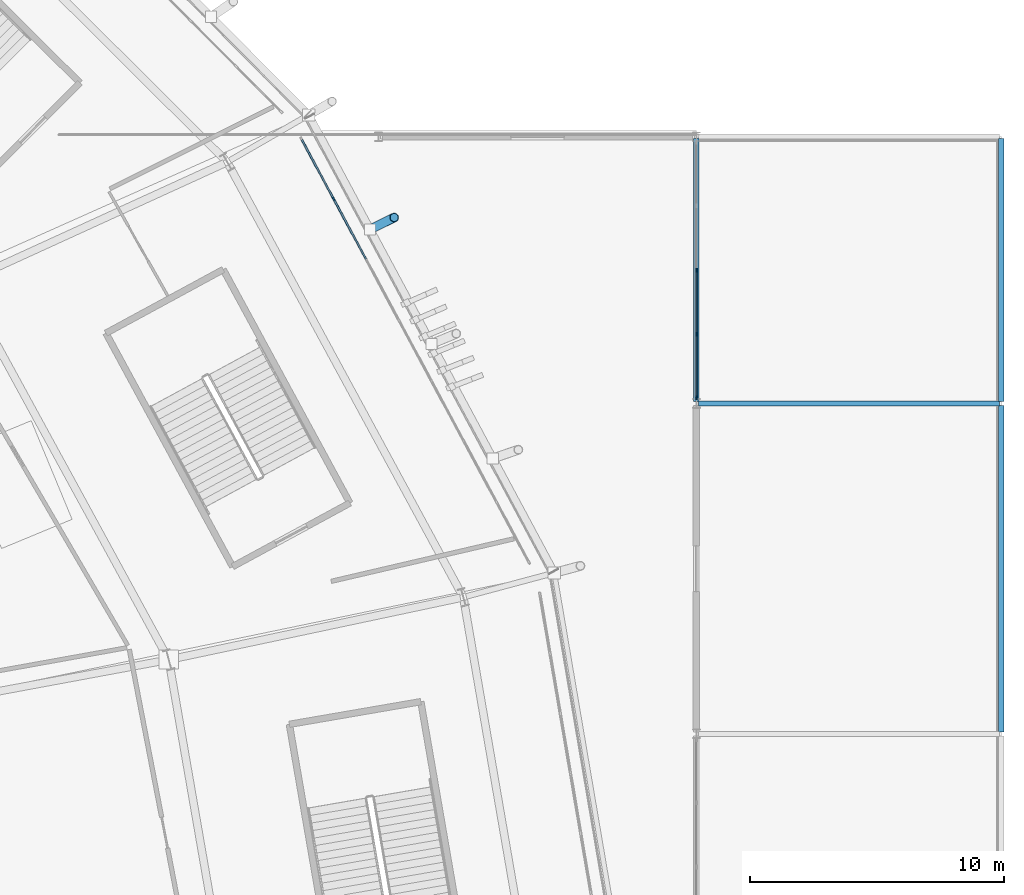
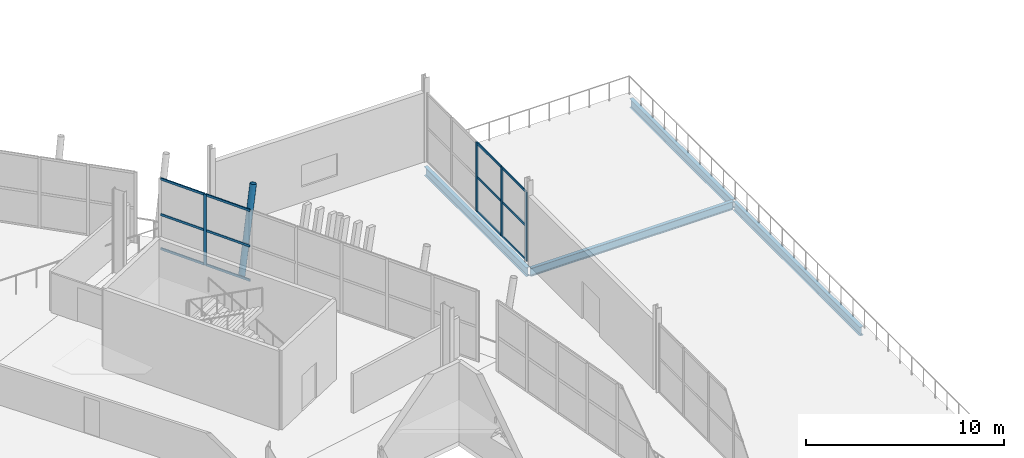
# One storey, part 62 of 168: 17 members, 4 beams, 2 elements without a shape of their own.
"""IFC4 building model written with IfcOpenShell, lengths in metres."""

from ifc_helpers import new_model, si_unit, direction, frame, origin, origin_2d, place, context, subcontext, project, spatial, rectangle, hollow_circle, i_section, extrude, material, material_profile, profile_set, type_object, element, aggregate, save


model = new_model("IFC4")

# Units and contexts
model_context = context("Model", 3, precision=1e-05, world=origin(), true_north=direction((0.0, 1.0)))
body_context = subcontext(model_context, "Body", "Model", "MODEL_VIEW")
ifc_project = project(units=[si_unit("LENGTHUNIT", "METRE"), si_unit("AREAUNIT", "SQUARE_METRE"), si_unit("VOLUMEUNIT", "CUBIC_METRE"), si_unit("PLANEANGLEUNIT", "RADIAN"), si_unit("MASSUNIT", "GRAM", prefix="KILO")], contexts=[model_context])

# Site, building, storey
site_placement = place(None, origin())
site = spatial("IfcSite", under=ifc_project, at=site_placement, CompositionType="ELEMENT")
building_placement = place(site_placement, origin())
building = spatial("IfcBuilding", under=site, at=building_placement, Name="Zlatoyarsky Gate Stadium", CompositionType="ELEMENT")
storey_placement = place(building_placement, frame((0.0, 0.0, 15.60009765625)))
storey = spatial("IfcBuildingStorey", under=building, at=storey_placement, Name="L03", CompositionType="ELEMENT", Elevation=15.60009765625)

# Curtain wall, member
ifc_material_1 = material(Name="Thermally broken anodised aluminium curtain wall", Category="aluminium")
curtain_wall_type_1 = type_object("IfcCurtainWallType", Name="UNITISED CORPORATE BOX GLAZING L03", PredefinedType="USERDEFINED", material=ifc_material_1)
curtain_wall_1_placement = place(storey_placement, origin())
curtain_wall_1 = element("IfcCurtainWall", 1, at=curtain_wall_1_placement, inside=storey, type_object=curtain_wall_type_1, Name="Curtain wall CW-L03-01", ObjectType="UNITISED GLAZING", PredefinedType="USERDEFINED")
ifc_material_2 = material(Name="Anodised aluminium 6063-T6", Category="aluminium")
ifc_material_profile_1 = material_profile(ifc_material_2, rectangle(XDim=0.06494140625, YDim=0.159912109375, at=origin_2d()), Name="ALU 65X160")
ifc_profile_set_1 = profile_set([ifc_material_profile_1], Name="Anodised aluminium 6063-T6")
member_type_1 = type_object("IfcMemberType", Name="ALUMINIUM MULLION 65X160", PredefinedType="MULLION", material=ifc_profile_set_1)
member_1_placement = place(storey_placement, frame((195.730224609375, 114.04248046875, 0.0), z_axis=(0.0, 0.0, 1.0), x_axis=(-0.880877202392, -0.473344857694, 0.0)))
member_1 = element("IfcMember", 2, at=member_1_placement, type_object=member_type_1, Name="CW-UG3 mullion 7", PredefinedType="MULLION", context=body_context, shape_type="SweptSolid", body=[
    extrude(rectangle(XDim=0.06494140625, YDim=0.159912109375, at=origin_2d()), origin(), (0.0, 0.0, 1.0), 4.3798828125),
])

# Curtain wall, members
curtain_wall_type_2 = type_object("IfcCurtainWallType", Name="WINTER GARDEN CONSERVATORY GLAZING", PredefinedType="USERDEFINED", material=ifc_material_1)
curtain_wall_2_placement = place(storey_placement, origin())
curtain_wall_2 = element("IfcCurtainWall", 3, at=curtain_wall_2_placement, inside=storey, type_object=curtain_wall_type_2, Name="Curtain wall CW-V5_EAST-L03-187", ObjectType="UNITISED GLAZING", PredefinedType="USERDEFINED")
member_2_placement = place(storey_placement, frame((210.0, 106.224609375, 0.0), z_axis=(0.0, 0.0, 1.0), x_axis=(-1.0, 0.0, 0.0)))
member_2 = element("IfcMember", 4, at=member_2_placement, type_object=member_type_1, Name="CW-WG1 mullion 1", PredefinedType="MULLION", context=body_context, shape_type="SweptSolid", body=[
    extrude(rectangle(XDim=0.06494140625, YDim=0.159912109375, at=origin_2d()), origin(), (0.0, 0.0, 1.0), 4.27978515625),
])
member_3_placement = place(storey_placement, frame((210.0, 108.720947265625, 0.0), z_axis=(0.0, 0.0, 1.0), x_axis=(-1.0, 0.0, 0.0)))
member_3 = element("IfcMember", 5, at=member_3_placement, type_object=member_type_1, Name="CW-WG1 mullion 2", PredefinedType="MULLION", context=body_context, shape_type="SweptSolid", body=[
    extrude(rectangle(XDim=0.06494140625, YDim=0.159912109375, at=origin_2d()), origin(), (0.0, 0.0, 1.0), 4.27978515625),
])
member_4_placement = place(storey_placement, frame((210.0, 111.25, 0.0), z_axis=(0.0, 0.0, 1.0), x_axis=(-1.0, 0.0, 0.0)))
member_4 = element("IfcMember", 6, at=member_4_placement, type_object=member_type_1, Name="CW-WG1 mullion 3", PredefinedType="MULLION", context=body_context, shape_type="SweptSolid", body=[
    extrude(rectangle(XDim=0.06494140625, YDim=0.159912109375, at=origin_2d()), origin(), (0.0, 0.0, 1.0), 4.27978515625),
])

# Member
ifc_material_profile_2 = material_profile(ifc_material_2, rectangle(XDim=0.06494140625, YDim=0.139892578125, at=origin_2d()), Name="ALU 65X140")
ifc_profile_set_2 = profile_set([ifc_material_profile_2], Name="Anodised aluminium 6063-T6")
member_type_2 = type_object("IfcMemberType", Name="ALUMINIUM TRANSOM 65X140", PredefinedType="USERDEFINED", material=ifc_profile_set_2)
member_5_placement = place(storey_placement, frame((196.9970703125, 111.684814453125, 0.032470703125), z_axis=(-0.473356241073, 0.880871085368, 0.0), x_axis=(-0.880871085368, -0.473356241073, 0.0)))
member_5 = element("IfcMember", 7, at=member_5_placement, type_object=member_type_2, Name="CW-UG3 transom 6.1", ObjectType="TRANSOM", PredefinedType="USERDEFINED", context=body_context, shape_type="SweptSolid", body=[
    extrude(rectangle(XDim=0.06494140625, YDim=0.139892578125, at=origin_2d()), origin(), (0.0, 0.0, 1.0), 2.643798828125),
])

member_6_placement = place(storey_placement, frame((196.9970703125, 111.684814453125, 2.14990234375), z_axis=(-0.473356241073, 0.880871085368, 0.0), x_axis=(-0.880871085368, -0.473356241073, 0.0)))
member_6 = element("IfcMember", 8, at=member_6_placement, type_object=member_type_2, Name="CW-UG3 transom 6.2", ObjectType="TRANSOM", PredefinedType="USERDEFINED", context=body_context, shape_type="SweptSolid", body=[
    extrude(rectangle(XDim=0.06494140625, YDim=0.139892578125, at=origin_2d()), origin(), (0.0, 0.0, 1.0), 2.643798828125),
])

member_7_placement = place(storey_placement, frame((196.9970703125, 111.684814453125, 4.347412109375), z_axis=(-0.473356241073, 0.880871085368, 0.0), x_axis=(-0.880871085368, -0.473356241073, 0.0)))
member_7 = element("IfcMember", 9, at=member_7_placement, type_object=member_type_2, Name="CW-UG3 transom 6.3", ObjectType="TRANSOM", PredefinedType="USERDEFINED", context=body_context, shape_type="SweptSolid", body=[
    extrude(rectangle(XDim=0.06494140625, YDim=0.139892578125, at=origin_2d()), origin(), (0.0, 0.0, 1.0), 2.643798828125),
])

member_8_placement = place(storey_placement, frame((195.71484375, 114.071044921875, 0.032470703125), z_axis=(-0.473347001092, 0.880876050621, 0.0), x_axis=(-0.880876050621, -0.473347001092, 0.0)))
member_8 = element("IfcMember", 10, at=member_8_placement, type_object=member_type_2, Name="CW-UG3 transom 7.1", ObjectType="TRANSOM", PredefinedType="USERDEFINED", context=body_context, shape_type="SweptSolid", body=[
    extrude(rectangle(XDim=0.06494140625, YDim=0.139892578125, at=origin_2d()), origin(), (0.0, 0.0, 1.0), 2.611328125),
])

member_9_placement = place(storey_placement, frame((195.71484375, 114.071044921875, 2.14990234375), z_axis=(-0.473347001092, 0.880876050621, 0.0), x_axis=(-0.880876050621, -0.473347001092, 0.0)))
member_9 = element("IfcMember", 11, at=member_9_placement, type_object=member_type_2, Name="CW-UG3 transom 7.2", ObjectType="TRANSOM", PredefinedType="USERDEFINED", context=body_context, shape_type="SweptSolid", body=[
    extrude(rectangle(XDim=0.06494140625, YDim=0.139892578125, at=origin_2d()), origin(), (0.0, 0.0, 1.0), 2.611328125),
])

member_10_placement = place(storey_placement, frame((195.71484375, 114.071044921875, 4.347412109375), z_axis=(-0.473347001092, 0.880876050621, 0.0), x_axis=(-0.880876050621, -0.473347001092, 0.0)))
member_10 = element("IfcMember", 12, at=member_10_placement, type_object=member_type_2, Name="CW-UG3 transom 7.3", ObjectType="TRANSOM", PredefinedType="USERDEFINED", context=body_context, shape_type="SweptSolid", body=[
    extrude(rectangle(XDim=0.06494140625, YDim=0.139892578125, at=origin_2d()), origin(), (0.0, 0.0, 1.0), 2.611328125),
])

aggregate(curtain_wall_1, [member_1, member_5, member_6, member_7, member_8, member_9, member_10])

member_11_placement = place(storey_placement, frame((210.0, 106.257080078125, 0.032470703125), z_axis=(0.0, 1.0, 0.0), x_axis=(-1.0, 0.0, 0.0)))
member_11 = element("IfcMember", 13, at=member_11_placement, type_object=member_type_2, Name="CW-WG1 transom 1.1", ObjectType="TRANSOM", PredefinedType="USERDEFINED", context=body_context, shape_type="SweptSolid", body=[
    extrude(rectangle(XDim=0.06494140625, YDim=0.139892578125, at=origin_2d()), origin(), (0.0, 0.0, 1.0), 2.431396484375),
])

member_12_placement = place(storey_placement, frame((210.0, 106.257080078125, 2.14990234375), z_axis=(0.0, 1.0, 0.0), x_axis=(-1.0, 0.0, 0.0)))
member_12 = element("IfcMember", 14, at=member_12_placement, type_object=member_type_2, Name="CW-WG1 transom 1.2", ObjectType="TRANSOM", PredefinedType="USERDEFINED", context=body_context, shape_type="SweptSolid", body=[
    extrude(rectangle(XDim=0.06494140625, YDim=0.139892578125, at=origin_2d()), origin(), (0.0, 0.0, 1.0), 2.431396484375),
])

member_13_placement = place(storey_placement, frame((210.0, 106.257080078125, 4.247314453125), z_axis=(0.0, 1.0, 0.0), x_axis=(-1.0, 0.0, 0.0)))
member_13 = element("IfcMember", 15, at=member_13_placement, type_object=member_type_2, Name="CW-WG1 transom 1.3", ObjectType="TRANSOM", PredefinedType="USERDEFINED", context=body_context, shape_type="SweptSolid", body=[
    extrude(rectangle(XDim=0.06494140625, YDim=0.139892578125, at=origin_2d()), origin(), (0.0, 0.0, 1.0), 2.431396484375),
])

member_14_placement = place(storey_placement, frame((210.0, 108.75341796875, 0.032470703125), z_axis=(0.0, 1.0, 0.0), x_axis=(-1.0, 0.0, 0.0)))
member_14 = element("IfcMember", 16, at=member_14_placement, type_object=member_type_2, Name="CW-WG1 transom 2.1", ObjectType="TRANSOM", PredefinedType="USERDEFINED", context=body_context, shape_type="SweptSolid", body=[
    extrude(rectangle(XDim=0.06494140625, YDim=0.139892578125, at=origin_2d()), origin(), (0.0, 0.0, 1.0), 2.464111328125),
])

member_15_placement = place(storey_placement, frame((210.0, 108.75341796875, 2.14990234375), z_axis=(0.0, 1.0, 0.0), x_axis=(-1.0, 0.0, 0.0)))
member_15 = element("IfcMember", 17, at=member_15_placement, type_object=member_type_2, Name="CW-WG1 transom 2.2", ObjectType="TRANSOM", PredefinedType="USERDEFINED", context=body_context, shape_type="SweptSolid", body=[
    extrude(rectangle(XDim=0.06494140625, YDim=0.139892578125, at=origin_2d()), origin(), (0.0, 0.0, 1.0), 2.464111328125),
])

member_16_placement = place(storey_placement, frame((210.0, 108.75341796875, 4.247314453125), z_axis=(0.0, 1.0, 0.0), x_axis=(-1.0, 0.0, 0.0)))
member_16 = element("IfcMember", 18, at=member_16_placement, type_object=member_type_2, Name="CW-WG1 transom 2.3", ObjectType="TRANSOM", PredefinedType="USERDEFINED", context=body_context, shape_type="SweptSolid", body=[
    extrude(rectangle(XDim=0.06494140625, YDim=0.139892578125, at=origin_2d()), origin(), (0.0, 0.0, 1.0), 2.464111328125),
])

aggregate(curtain_wall_2, [member_2, member_3, member_4, member_11, member_12, member_13, member_14, member_15, member_16])

# Beams
ifc_material_3 = material(Name="Steel S355", Category="steel")
ifc_material_profile_3 = material_profile(ifc_material_3, i_section(OverallWidth=0.199951171875, OverallDepth=0.5, WebThickness=0.01025390625, FlangeThickness=0.01611328125, FilletRadius=0.02099609375, at=origin_2d()), Name="IPE 500")
ifc_profile_set_3 = profile_set([ifc_material_profile_3], Name="Steel S355")
beam_type_1 = type_object("IfcBeamType", Name="STEEL FLOOR BEAM IPE 500", PredefinedType="BEAM", material=ifc_profile_set_3)
beam_1_placement = place(storey_placement, frame((210.080078125, 106.0, -0.570068359375), z_axis=(1.0, 0.0, 0.0), x_axis=(0.0, 1.0, 0.0)))
element("IfcBeam", 19, at=beam_1_placement, inside=storey, type_object=beam_type_1, Name="Beam B-IPE500 BM-L03-WGX-18-K", PredefinedType="BEAM", context=body_context, shape_type="SweptSolid", body=[
    extrude(i_section(OverallWidth=0.199951171875, OverallDepth=0.5, WebThickness=0.01025390625, FlangeThickness=0.01611328125, FilletRadius=0.02099609375, at=origin_2d()), origin(), (0.0, 0.0, 1.0), 11.83984375),
])
ifc_material_profile_4 = material_profile(ifc_material_3, i_section(OverallWidth=0.2099609375, OverallDepth=0.550048828125, WebThickness=0.010986328125, FlangeThickness=0.01708984375, FilletRadius=0.02392578125, at=origin_2d()), Name="IPE 550")
ifc_profile_set_4 = profile_set([ifc_material_profile_4], Name="Steel S355")
beam_type_2 = type_object("IfcBeamType", Name="STEEL FLOOR BEAM IPE 550", PredefinedType="BEAM", material=ifc_profile_set_4)
beam_2_placement = place(storey_placement, frame((210.0, 106.080078125, -0.59521484375), z_axis=(0.0, 1.0, 0.0), x_axis=(-1.0, 0.0, 0.0)))
element("IfcBeam", 20, at=beam_2_placement, inside=storey, type_object=beam_type_2, Name="Beam B-IPE550 BM-L03-WGY-18-K", PredefinedType="BEAM", context=body_context, shape_type="SweptSolid", body=[
    extrude(i_section(OverallWidth=0.2099609375, OverallDepth=0.550048828125, WebThickness=0.010986328125, FlangeThickness=0.01708984375, FilletRadius=0.02392578125, at=origin_2d()), origin(), (0.0, 0.0, 1.0), 10.33984375),
])
beam_3_placement = place(storey_placement, frame((222.0, 93.080078125, -0.59521484375), z_axis=(0.0, 1.0, 0.0), x_axis=(-1.0, 0.0, 0.0)))
element("IfcBeam", 21, at=beam_3_placement, inside=storey, type_object=beam_type_2, Name="Beam B-IPE550 BM-L03-WGY-19-J", PredefinedType="BEAM", context=body_context, shape_type="SweptSolid", body=[
    extrude(i_section(OverallWidth=0.2099609375, OverallDepth=0.550048828125, WebThickness=0.010986328125, FlangeThickness=0.01708984375, FilletRadius=0.02392578125, at=origin_2d()), origin(), (0.0, 0.0, 1.0), 12.83984375),
])
beam_4_placement = place(storey_placement, frame((222.0, 106.080078125, -0.59521484375), z_axis=(0.0, 1.0, 0.0), x_axis=(-1.0, 0.0, 0.0)))
element("IfcBeam", 22, at=beam_4_placement, inside=storey, type_object=beam_type_2, Name="Beam B-IPE550 BM-L03-WGY-19-K", PredefinedType="BEAM", context=body_context, shape_type="SweptSolid", body=[
    extrude(i_section(OverallWidth=0.2099609375, OverallDepth=0.550048828125, WebThickness=0.010986328125, FlangeThickness=0.01708984375, FilletRadius=0.02392578125, at=origin_2d()), origin(), (0.0, 0.0, 1.0), 10.33984375),
])

# Member
ifc_material_profile_5 = material_profile(ifc_material_3, hollow_circle(Radius=0.177734375, WallThickness=0.02001953125, at=origin_2d()), Name="CHS 355.6X20")
ifc_profile_set_5 = profile_set([ifc_material_profile_5], Name="Steel S355")
member_type_3 = type_object("IfcMemberType", Name="STEEL LEANING RIB RING STRUT CHS 355.6X20", PredefinedType="STRUT", material=ifc_profile_set_5)
member_17_placement = place(storey_placement, frame((197.16162109375, 112.846923828125, -0.530029296875), z_axis=(0.17989404636, 0.08874649823, 0.979674533269), x_axis=(-0.442419299673, 0.896808320254, 0.0)))
element("IfcMember", 23, at=member_17_placement, inside=storey, type_object=member_type_3, Name="Outward-leaning bowl louvre fin rib L03 01-3", PredefinedType="STRUT", context=body_context, shape_type="SweptSolid", body=[
    extrude(hollow_circle(Radius=0.177734375, WallThickness=0.02001953125, at=origin_2d()), origin(), (0.0, 0.0, 1.0), 5.287353515625),
])

save(model, "model.ifc")
